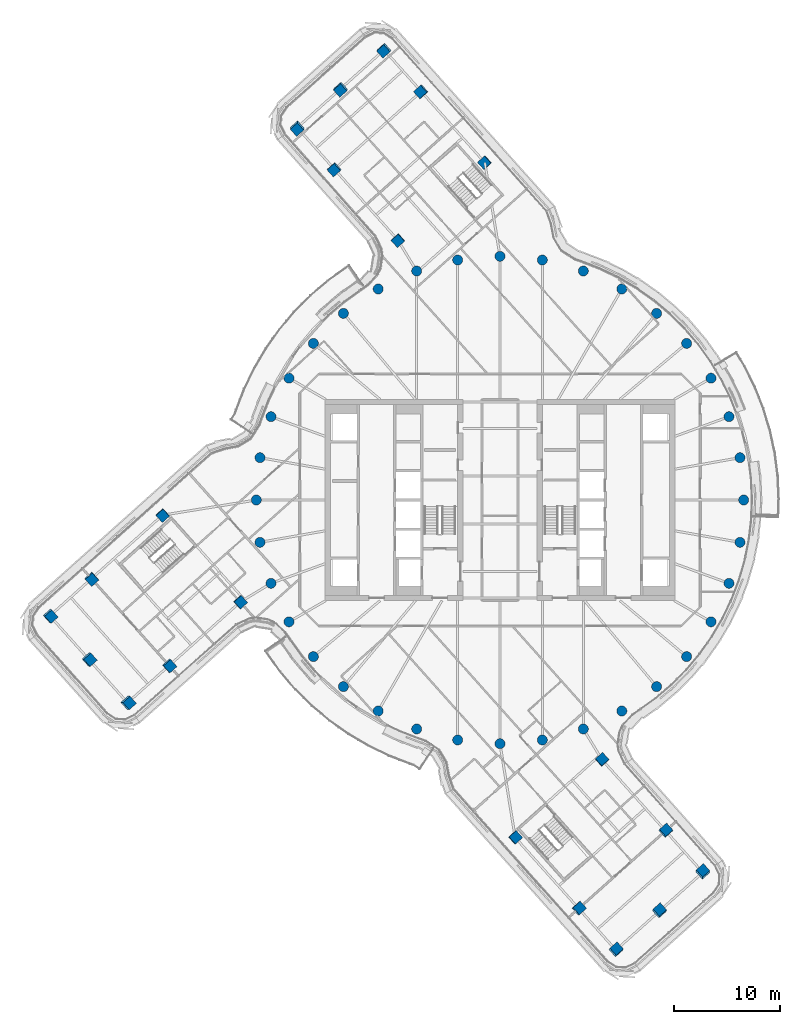
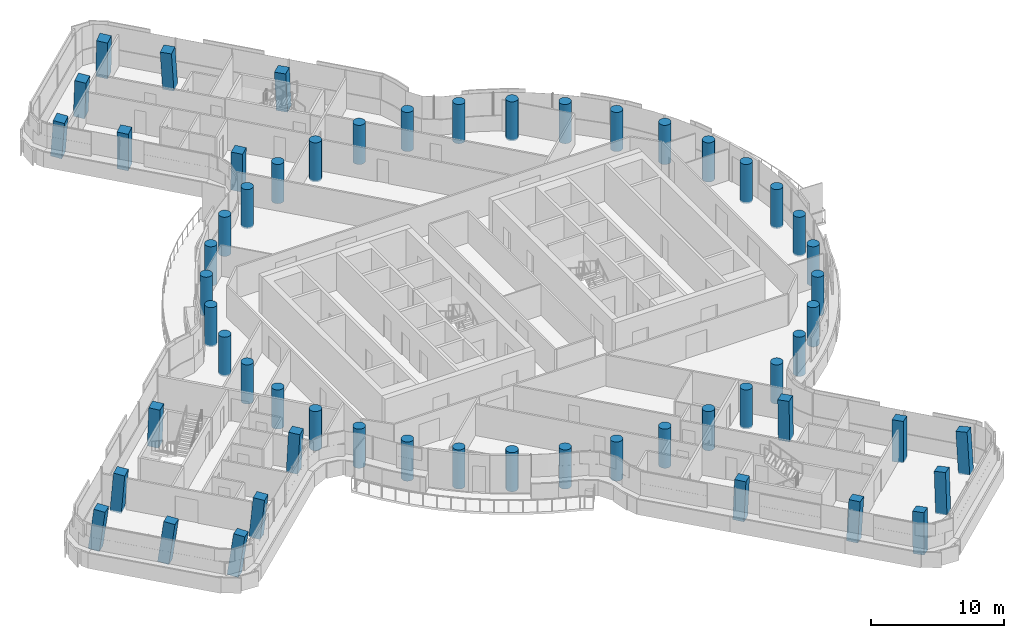
# One storey, part 1 of 33: 57 columns.
"""IFC4 building model written with IfcOpenShell, lengths in metres."""

import ifcopenshell
import ifcopenshell.guid

model = None  # the IFC model being written
_history = None  # IfcOwnerHistory: only IFC2X3 demands one
_inside = {}  # id of a spatial element -> (the spatial element, [elements in it])
_under = {}  # id of a project, library or spatial element -> (it, [spatial elements below it])
_declared = {}  # id of a project -> (the project, [libraries it declares])
_typed = {}  # id of a type object -> (the type object, [elements of that type])
_made_of = {}  # id of a material, layer set ... -> (it, [elements and type objects made of it])


def new_model(schema):
    """Start an empty IFC model of exactly this schema.

    Asked for "IFC4X3", IfcOpenShell would pick the latest addendum, in which some entities
    have other attributes; the version numbers below select the first issue.
    IFC2X3 requires an IfcOwnerHistory on every rooted entity: one is made here for all.
    """
    global model, _history
    if schema == "IFC4X3":
        model = ifcopenshell.file(schema_version=(4, 3, 0, 0))
    else:
        model = ifcopenshell.file(schema=schema)
    _inside.clear()
    _under.clear()
    _declared.clear()
    _typed.clear()
    _made_of.clear()
    _history = None
    if model.schema == "IFC2X3":
        org = make("IfcOrganization", Name="unknown")
        user = make(
            "IfcPersonAndOrganization",
            ThePerson=make("IfcPerson", FamilyName="unknown"),
            TheOrganization=org,
        )
        app = make(
            "IfcApplication",
            ApplicationDeveloper=org,
            Version="unknown",
            ApplicationFullName="unknown",
            ApplicationIdentifier="unknown",
        )
        _history = make(
            "IfcOwnerHistory",
            OwningUser=user,
            OwningApplication=app,
            ChangeAction="ADDED",
            CreationDate=0,
        )
    return model


def make(cls, **values):
    """One entity of the class cls with the attributes given. An attribute that is None is left unset."""
    return model.create_entity(
        cls, **{name: value for name, value in values.items() if value is not None}
    )


def rooted(cls, **values):
    """An entity with a GlobalId (a new one), such as an element, a storey or a relation."""
    return make(cls, GlobalId=ifcopenshell.guid.new(), OwnerHistory=_history, **values)


def si_unit(unit_type, name, prefix=None):
    """IfcSIUnit, for example si_unit("LENGTHUNIT", "METRE", prefix="MILLI")."""
    return make("IfcSIUnit", UnitType=unit_type, Prefix=prefix, Name=name)


def assignment(units):
    """IfcUnitAssignment: the units of a project."""
    return None if units is None else make("IfcUnitAssignment", Units=units)


def point(xyz):
    """IfcCartesianPoint."""
    return None if xyz is None else make("IfcCartesianPoint", Coordinates=xyz)


def direction(xyz):
    """IfcDirection."""
    return None if xyz is None else make("IfcDirection", DirectionRatios=xyz)


def frame(location, z_axis=None, x_axis=None):
    """IfcAxis2Placement3D, a coordinate frame: its origin and axes. An axis left out is left unset."""
    return make(
        "IfcAxis2Placement3D",
        Location=point(location),
        Axis=direction(z_axis),
        RefDirection=direction(x_axis),
    )


def frame_2d(location, x_axis=None):
    """IfcAxis2Placement2D, a coordinate frame in the plane: its origin and x axis."""
    return make(
        "IfcAxis2Placement2D", Location=point(location), RefDirection=direction(x_axis)
    )


def origin():
    """The frame at (0, 0, 0) with its axes left unset."""
    return frame((0.0, 0.0, 0.0))


def origin_2d():
    """The frame at (0, 0) in the plane with its x axis left unset."""
    return frame_2d((0.0, 0.0))


def place(relative_to, where):
    """IfcLocalPlacement: puts the frame where relative to a parent placement (None: the world)."""
    return make(
        "IfcLocalPlacement", PlacementRelTo=relative_to, RelativePlacement=where
    )


def context(
    kind, dimensions, precision=None, world=None, true_north=None, identifier=None
):
    """IfcGeometricRepresentationContext, for example the 3D "Model" context."""
    return make(
        "IfcGeometricRepresentationContext",
        ContextIdentifier=identifier,
        ContextType=kind,
        CoordinateSpaceDimension=dimensions,
        Precision=precision,
        WorldCoordinateSystem=world,
        TrueNorth=true_north,
    )


def subcontext(parent, identifier, kind, view, scale=None):
    """IfcGeometricRepresentationSubContext, for example "Body" below "Model"."""
    return make(
        "IfcGeometricRepresentationSubContext",
        ContextIdentifier=identifier,
        ContextType=kind,
        ParentContext=parent,
        TargetScale=scale,
        TargetView=view,
    )


def project(units=None, contexts=None):
    """IfcProject with its units and contexts."""
    return rooted(
        "IfcProject",
        Name="project",
        RepresentationContexts=contexts,
        UnitsInContext=assignment(units),
    )


def spatial(cls, under=None, at=None, **own):
    """A site, building, storey or space (cls), placed at a placement, below another one or the project."""
    s = rooted(cls, ObjectPlacement=at, **own)
    if under is not None:
        _under.setdefault(under.id(), (under, []))[1].append(s)
    return s


def profile(cls, at=None, kind="AREA", **sizes):
    """A parametric profile (cls). Its sizes go by their IFC names, for example OverallWidth=200.0."""
    return make(cls, ProfileType=kind, Position=at, **sizes)


def rectangle(**sizes):
    """IfcRectangleProfileDef."""
    return profile("IfcRectangleProfileDef", **sizes)


def circle(**sizes):
    """IfcCircleProfileDef."""
    return profile("IfcCircleProfileDef", **sizes)


def extrude(swept, where, along, depth):
    """IfcExtrudedAreaSolid: the profile swept, set in the frame where, extruded along a direction by depth."""
    return make(
        "IfcExtrudedAreaSolid",
        SweptArea=swept,
        Position=where,
        ExtrudedDirection=direction(along),
        Depth=depth,
    )


def shape(context_of_items, identifier, shape_type, items):
    """IfcShapeRepresentation: the items that make up one representation, for example the "Body"."""
    return make(
        "IfcShapeRepresentation",
        ContextOfItems=context_of_items,
        RepresentationIdentifier=identifier,
        RepresentationType=shape_type,
        Items=items,
    )


def material(Name=None, Category=None):
    """IfcMaterial."""
    return make("IfcMaterial", Name=Name, Category=Category)


def material_profile(
    of_material, cross_section, Name=None, Category=None, Priority=None
):
    """IfcMaterialProfile: a cross section and its material."""
    return make(
        "IfcMaterialProfile",
        Name=Name,
        Material=of_material,
        Profile=cross_section,
        Priority=Priority,
        Category=Category,
    )


def profile_set(profiles, Name=None, composite=None):
    """IfcMaterialProfileSet."""
    return make(
        "IfcMaterialProfileSet",
        Name=Name,
        MaterialProfiles=profiles,
        CompositeProfile=composite,
    )


def made_of(thing, what):
    """Note that an element or type object is made of a material, layer set ...; save() writes the relation."""
    if what is not None:
        _made_of.setdefault(what.id(), (what, []))[1].append(thing)
    return thing


def type_object(cls, material=None, **own):
    """A type object (cls), such as IfcWallType, which elements share."""
    return made_of(rooted(cls, **own), material)


def element(
    cls,
    number,
    at=None,
    inside=None,
    cuts=None,
    type_object=None,
    material=None,
    context=None,
    identifier="Body",
    shape_type=None,
    held_by="IfcProductDefinitionShape",
    body=None,
    shapes=None,
    **own,
):
    """One element of the class cls, such as IfcWall. Its Tag is "e" and its number.

    at: its placement. inside: the storey or other place that contains it. cuts: it is an
    opening in that element (IfcRelVoidsElement). A single representation is given by context,
    identifier, shape_type and body (its items); several are given by shapes. held_by: the class
    of the entity that holds the representations. save() writes the other relations.
    """
    e = rooted(cls, Tag="e%d" % number, ObjectPlacement=at, **own)
    if body is not None:
        shapes = [shape(context, identifier, shape_type, body)]
    if shapes is not None:
        e.Representation = make(held_by, Representations=shapes)
    if inside is not None:
        _inside.setdefault(inside.id(), (inside, []))[1].append(e)
    if cuts is not None:
        rooted(
            "IfcRelVoidsElement", RelatingBuildingElement=cuts, RelatedOpeningElement=e
        )
    if type_object is not None:
        _typed.setdefault(type_object.id(), (type_object, []))[1].append(e)
    return made_of(e, material)


def aggregate(whole, parts):
    """IfcRelAggregates: a whole, such as a stair, and the parts it consists of."""
    return rooted("IfcRelAggregates", RelatingObject=whole, RelatedObjects=parts)


def save(model, path):
    """Write the relations noted so far, then the file.

    IfcRelAggregates (storeys below a building ...), IfcRelContainedInSpatialStructure (elements
    in a storey), IfcRelDefinesByType, IfcRelAssociatesMaterial and IfcRelDeclares: one each for
    every whole, place, type object, material and project.
    """
    for whole, parts in _under.values():
        aggregate(whole, parts)
    for where, things in _inside.values():
        rooted(
            "IfcRelContainedInSpatialStructure",
            RelatedElements=things,
            RelatingStructure=where,
        )
    for kind, things in _typed.values():
        rooted("IfcRelDefinesByType", RelatedObjects=things, RelatingType=kind)
    for what, things in _made_of.values():
        rooted("IfcRelAssociatesMaterial", RelatedObjects=things, RelatingMaterial=what)
    for by, libraries in _declared.values():
        rooted("IfcRelDeclares", RelatingContext=by, RelatedDefinitions=libraries)
    model.write(path)


model = new_model("IFC4")

# Units and contexts
model_context = context("Model", 3, precision=1e-05, world=origin(), true_north=direction((0.0, 1.0)))
body_context = subcontext(model_context, "Body", "Model", "MODEL_VIEW")
ifc_project = project(units=[si_unit("LENGTHUNIT", "METRE"), si_unit("AREAUNIT", "SQUARE_METRE"), si_unit("VOLUMEUNIT", "CUBIC_METRE"), si_unit("PLANEANGLEUNIT", "RADIAN"), si_unit("MASSUNIT", "GRAM", prefix="KILO")], contexts=[model_context])

# Site, building, storey
site_placement = place(None, origin())
site = spatial("IfcSite", under=ifc_project, at=site_placement, CompositionType="ELEMENT")
building_placement = place(site_placement, origin())
building = spatial("IfcBuilding", under=site, at=building_placement, Name="Tamarind Cross Interchange Tower", CompositionType="ELEMENT")
storey_placement = place(building_placement, frame((0.0, 0.0, 186.10009765625)))
storey = spatial("IfcBuildingStorey", under=building, at=storey_placement, Name="L46", CompositionType="ELEMENT", Elevation=186.10009765625)

# Columns
ifc_material = material(Name="Concrete C55", Category="concrete")
ifc_material_profile_1 = material_profile(ifc_material, rectangle(XDim=0.89990234375, YDim=0.89990234375, at=origin_2d()), Name="RC 900x900")
ifc_profile_set_1 = profile_set([ifc_material_profile_1], Name="Concrete C55")
column_type_1 = type_object("IfcColumnType", Name="Column RC 900x900 Concrete C55", PredefinedType="COLUMN", material=ifc_profile_set_1)
for number, where, z_axis, x_axis, name in (
    (1, (-15.6298828125, 31.23291015625, -0.138671875), (-0.045822698033, -0.079277322704, 0.995798868472), (0.743326927367, 0.663245686617, 0.087007116001), "Column L46-043"),
    (2, (-7.4287109375, 38.563720703125, -0.138671875), (-0.083197238763, -0.038253157709, 0.995798631947), (0.66549365684, -0.745916928545, 0.026946770057), "Column L46-044"),
):
    element("IfcColumn", number, at=place(storey_placement, frame(where, z_axis=z_axis, x_axis=x_axis)), inside=storey, type_object=column_type_1, Name=name, PredefinedType="COLUMN", context=body_context, shape_type="SweptSolid", body=[
        extrude(rectangle(XDim=0.89990234375, YDim=0.89990234375, at=origin_2d()), origin(), (0.0, 0.0, 1.0), 3.6123046875),
    ])
for number, where, z_axis, x_axis, name in (
    (3, (-9.632080078125, 24.522705078125, -0.138916015625), (-0.012268116842, -0.048801348764, 0.99873315839), (0.744800990849, 0.66598299183, 0.041690989716), "Column L46-045"),
    (4, (-1.430908203125, 31.853515625, -0.138916015625), (-0.049750222282, -0.007659094166, 0.998732323328), (0.665330607359, -0.746045084054, 0.027421077116), "Column L46-046"),
):
    element("IfcColumn", number, at=place(storey_placement, frame(where, z_axis=z_axis, x_axis=x_axis)), inside=storey, type_object=column_type_1, Name=name, PredefinedType="COLUMN", context=body_context, shape_type="SweptSolid", body=[
        extrude(rectangle(XDim=0.89990234375, YDim=0.89990234375, at=origin_2d()), origin(), (0.0, 0.0, 1.0), 3.60205078125),
    ])
column_1_placement = place(storey_placement, frame((-10.937744140625, 42.4892578125, -0.13818359375), z_axis=(-0.056189165696, -0.105902749271, 0.992787683926), x_axis=(0.742102002449, 0.660780670696, 0.112487880217)))
element("IfcColumn", 5, at=column_1_placement, inside=storey, type_object=column_type_1, Name="Column L46-047", PredefinedType="COLUMN", context=body_context, shape_type="SweptSolid", body=[
    extrude(rectangle(XDim=0.89990234375, YDim=0.89990234375, at=origin_2d()), origin(), (0.0, 0.0, 1.0), 3.619384765625),
])
column_2_placement = place(storey_placement, frame((-15.038330078125, 38.82373046875, -0.13818359375), z_axis=(-0.037518437884, -0.126094283159, 0.991308528448), x_axis=(0.74332908865, 0.659479837643, 0.112018791768)))
element("IfcColumn", 6, at=column_2_placement, inside=storey, type_object=column_type_1, Name="Column L46-048", PredefinedType="COLUMN", context=body_context, shape_type="SweptSolid", body=[
    extrude(rectangle(XDim=0.89990234375, YDim=0.89990234375, at=origin_2d()), origin(), (0.0, 0.0, 1.0), 3.62451171875),
])
column_3_placement = place(storey_placement, frame((-19.138916015625, 35.158447265625, -0.137939453125), z_axis=(-0.018886106398, -0.146249706486, 0.989067408389), x_axis=(0.744331069853, 0.658424646679, 0.111571694876)))
element("IfcColumn", 7, at=column_3_placement, inside=storey, type_object=column_type_1, Name="Column L46-049", PredefinedType="COLUMN", context=body_context, shape_type="SweptSolid", body=[
    extrude(rectangle(XDim=0.89990234375, YDim=0.89990234375, at=origin_2d()), origin(), (0.0, 0.0, 1.0), 3.632568359375),
])
for number, where, z_axis, x_axis, name in (
    (8, (-31.23291015625, -15.6298828125, -0.138671875), (0.079277322704, -0.045822698033, 0.995798868472), (-0.663245686617, 0.743326927367, 0.087007116001), "Column L46-050"),
    (9, (-38.563720703125, -7.4287109375, -0.138671875), (0.038253157709, -0.083197238763, 0.995798631947), (0.745916928545, 0.66549365684, 0.026946770057), "Column L46-051"),
):
    element("IfcColumn", number, at=place(storey_placement, frame(where, z_axis=z_axis, x_axis=x_axis)), inside=storey, type_object=column_type_1, Name=name, PredefinedType="COLUMN", context=body_context, shape_type="SweptSolid", body=[
        extrude(rectangle(XDim=0.89990234375, YDim=0.89990234375, at=origin_2d()), origin(), (0.0, 0.0, 1.0), 3.6123046875),
    ])
for number, where, z_axis, x_axis, name in (
    (10, (-24.522705078125, -9.632080078125, -0.138916015625), (0.048801348764, -0.012268116842, 0.99873315839), (-0.66598299183, 0.744800990849, 0.041690989716), "Column L46-052"),
    (11, (-31.853515625, -1.430908203125, -0.138916015625), (0.007659094166, -0.049750222282, 0.998732323328), (0.746045084054, 0.665330607359, 0.027421077116), "Column L46-053"),
):
    element("IfcColumn", number, at=place(storey_placement, frame(where, z_axis=z_axis, x_axis=x_axis)), inside=storey, type_object=column_type_1, Name=name, PredefinedType="COLUMN", context=body_context, shape_type="SweptSolid", body=[
        extrude(rectangle(XDim=0.89990234375, YDim=0.89990234375, at=origin_2d()), origin(), (0.0, 0.0, 1.0), 3.60205078125),
    ])
column_4_placement = place(storey_placement, frame((-42.4892578125, -10.937744140625, -0.13818359375), z_axis=(0.105902749271, -0.056189165696, 0.992787683926), x_axis=(-0.660780670696, 0.742102002449, 0.112487880217)))
element("IfcColumn", 12, at=column_4_placement, inside=storey, type_object=column_type_1, Name="Column L46-054", PredefinedType="COLUMN", context=body_context, shape_type="SweptSolid", body=[
    extrude(rectangle(XDim=0.89990234375, YDim=0.89990234375, at=origin_2d()), origin(), (0.0, 0.0, 1.0), 3.619384765625),
])
column_5_placement = place(storey_placement, frame((-38.82373046875, -15.038330078125, -0.13818359375), z_axis=(0.126094283159, -0.037518437884, 0.991308528448), x_axis=(-0.659479837643, 0.74332908865, 0.112018791768)))
element("IfcColumn", 13, at=column_5_placement, inside=storey, type_object=column_type_1, Name="Column L46-055", PredefinedType="COLUMN", context=body_context, shape_type="SweptSolid", body=[
    extrude(rectangle(XDim=0.89990234375, YDim=0.89990234375, at=origin_2d()), origin(), (0.0, 0.0, 1.0), 3.62451171875),
])
column_6_placement = place(storey_placement, frame((-35.158447265625, -19.138916015625, -0.137939453125), z_axis=(0.146249706486, -0.018886106398, 0.989067408389), x_axis=(-0.658424646679, 0.744331069853, 0.111571694876)))
element("IfcColumn", 14, at=column_6_placement, inside=storey, type_object=column_type_1, Name="Column L46-056", PredefinedType="COLUMN", context=body_context, shape_type="SweptSolid", body=[
    extrude(rectangle(XDim=0.89990234375, YDim=0.89990234375, at=origin_2d()), origin(), (0.0, 0.0, 1.0), 3.632568359375),
])
for number, where, z_axis, x_axis, name in (
    (15, (15.6298828125, -31.23291015625, -0.138671875), (0.045822698033, 0.079277322704, 0.995798868472), (-0.743326927367, -0.663245686617, 0.087007116001), "Column L46-057"),
    (16, (7.4287109375, -38.563720703125, -0.138671875), (0.083197238763, 0.038253157709, 0.995798631947), (-0.66549365684, 0.745916928545, 0.026946770057), "Column L46-058"),
):
    element("IfcColumn", number, at=place(storey_placement, frame(where, z_axis=z_axis, x_axis=x_axis)), inside=storey, type_object=column_type_1, Name=name, PredefinedType="COLUMN", context=body_context, shape_type="SweptSolid", body=[
        extrude(rectangle(XDim=0.89990234375, YDim=0.89990234375, at=origin_2d()), origin(), (0.0, 0.0, 1.0), 3.6123046875),
    ])
for number, where, z_axis, x_axis, name in (
    (17, (9.632080078125, -24.522705078125, -0.138916015625), (0.012268116842, 0.048801348764, 0.99873315839), (-0.744800990849, -0.66598299183, 0.041690989716), "Column L46-059"),
    (18, (1.430908203125, -31.853515625, -0.138916015625), (0.049750222282, 0.007659094166, 0.998732323328), (-0.665330607359, 0.746045084054, 0.027421077116), "Column L46-060"),
):
    element("IfcColumn", number, at=place(storey_placement, frame(where, z_axis=z_axis, x_axis=x_axis)), inside=storey, type_object=column_type_1, Name=name, PredefinedType="COLUMN", context=body_context, shape_type="SweptSolid", body=[
        extrude(rectangle(XDim=0.89990234375, YDim=0.89990234375, at=origin_2d()), origin(), (0.0, 0.0, 1.0), 3.60205078125),
    ])
column_7_placement = place(storey_placement, frame((10.937744140625, -42.4892578125, -0.13818359375), z_axis=(0.056189165696, 0.105902749271, 0.992787683926), x_axis=(-0.742102002449, -0.660780670696, 0.112487880217)))
element("IfcColumn", 19, at=column_7_placement, inside=storey, type_object=column_type_1, Name="Column L46-061", PredefinedType="COLUMN", context=body_context, shape_type="SweptSolid", body=[
    extrude(rectangle(XDim=0.89990234375, YDim=0.89990234375, at=origin_2d()), origin(), (0.0, 0.0, 1.0), 3.619384765625),
])
column_8_placement = place(storey_placement, frame((15.038330078125, -38.82373046875, -0.13818359375), z_axis=(0.037518437884, 0.126094283159, 0.991308528448), x_axis=(-0.74332908865, -0.659479837643, 0.112018791768)))
element("IfcColumn", 20, at=column_8_placement, inside=storey, type_object=column_type_1, Name="Column L46-062", PredefinedType="COLUMN", context=body_context, shape_type="SweptSolid", body=[
    extrude(rectangle(XDim=0.89990234375, YDim=0.89990234375, at=origin_2d()), origin(), (0.0, 0.0, 1.0), 3.62451171875),
])
column_9_placement = place(storey_placement, frame((19.138916015625, -35.158447265625, -0.137939453125), z_axis=(0.018886106398, 0.146249706486, 0.989067408389), x_axis=(-0.744331069853, -0.658424646679, 0.111571694876)))
element("IfcColumn", 21, at=column_9_placement, inside=storey, type_object=column_type_1, Name="Column L46-063", PredefinedType="COLUMN", context=body_context, shape_type="SweptSolid", body=[
    extrude(rectangle(XDim=0.89990234375, YDim=0.89990234375, at=origin_2d()), origin(), (0.0, 0.0, 1.0), 3.632568359375),
])
ifc_material_profile_2 = material_profile(ifc_material, circle(Radius=0.47509765625, at=origin_2d()), Name="RC D950")
ifc_profile_set_2 = profile_set([ifc_material_profile_2], Name="Concrete C55")
column_type_2 = type_object("IfcColumnType", Name="Column RC D950 Concrete C55", PredefinedType="COLUMN", material=ifc_profile_set_2)
for number, where, z_axis, x_axis, name in (
    (22, (23.0, 0.0, -0.14013671875), (0.0, 0.0, 1.0), (1.0, 0.0, 0.0), "Column L46-000"),
    (23, (22.650634765625, 3.993896484375, -0.14013671875), (0.0, 0.0, 1.0), (1.0, 0.0, 0.0), "Column L46-001"),
    (24, (21.613037109375, 7.866455078125, -0.14013671875), (0.0, 0.0, 1.0), (1.0, 0.0, 0.0), "Column L46-002"),
    (25, (19.918701171875, 11.5, -0.14013671875), (0.0, 0.0, 1.0), (1.0, 0.0, 0.0), "Column L46-003"),
    (26, (17.619140625, 14.7841796875, -0.14013671875), (0.0, 0.0, 1.0), (1.0, 0.0, 0.0), "Column L46-004"),
    (27, (14.7841796875, 17.619140625, -0.14013671875), (0.0, 0.0, 1.0), (1.0, 0.0, 0.0), "Column L46-005"),
    (28, (11.5, 19.918701171875, -0.14013671875), (0.0, 0.0, 1.0), (1.0, 0.0, 0.0), "Column L46-006"),
    (29, (7.866455078125, 21.613037109375, -0.14013671875), (0.0, 0.0, 1.0), (1.0, 0.0, 0.0), "Column L46-007"),
    (30, (3.993896484375, 22.650634765625, -0.14013671875), (0.0, 0.0, 1.0), (1.0, 0.0, 0.0), "Column L46-008"),
    (31, (0.0, 23.0, -0.14013671875), (0.0, 0.0, 1.0), (1.0, 0.0, 0.0), "Column L46-009"),
    (32, (-3.993896484375, 22.650634765625, -0.14013671875), (0.0, 0.0, 1.0), (1.0, 0.0, 0.0), "Column L46-010"),
    (33, (-7.866455078125, 21.613037109375, -0.14013671875), (0.0, 0.0, 1.0), (1.0, 0.0, 0.0), "Column L46-011"),
    (34, (-11.5, 19.918701171875, -0.14013671875), (0.0, 0.0, 1.0), (1.0, 0.0, 0.0), "Column L46-012"),
    (35, (-14.7841796875, 17.619140625, -0.14013671875), (0.0, 0.0, 1.0), (1.0, 0.0, 0.0), "Column L46-013"),
    (36, (-17.619140625, 14.7841796875, -0.14013671875), (0.0, 0.0, 1.0), (1.0, 0.0, 0.0), "Column L46-014"),
    (37, (-19.918701171875, 11.5, -0.14013671875), (0.0, 0.0, 1.0), (1.0, 0.0, 0.0), "Column L46-015"),
    (38, (-21.613037109375, 7.866455078125, -0.14013671875), (0.0, 0.0, 1.0), (1.0, 0.0, 0.0), "Column L46-016"),
    (39, (-22.650634765625, 3.993896484375, -0.14013671875), (0.0, 0.0, 1.0), (1.0, 0.0, 0.0), "Column L46-017"),
    (40, (-23.0, 0.0, -0.14013671875), (0.0, 0.0, 1.0), (1.0, 0.0, 0.0), "Column L46-018"),
    (41, (-22.650634765625, -3.993896484375, -0.14013671875), (0.0, 0.0, 1.0), (1.0, 0.0, 0.0), "Column L46-019"),
    (42, (-21.613037109375, -7.866455078125, -0.14013671875), (0.0, 0.0, 1.0), (1.0, 0.0, 0.0), "Column L46-020"),
    (43, (-19.918701171875, -11.5, -0.14013671875), (0.0, 0.0, 1.0), (1.0, 0.0, 0.0), "Column L46-021"),
    (44, (-17.619140625, -14.7841796875, -0.14013671875), (0.0, 0.0, 1.0), (1.0, 0.0, 0.0), "Column L46-022"),
    (45, (-14.7841796875, -17.619140625, -0.14013671875), (0.0, 0.0, 1.0), (1.0, 0.0, 0.0), "Column L46-023"),
    (46, (-11.5, -19.918701171875, -0.14013671875), (0.0, 0.0, 1.0), (1.0, 0.0, 0.0), "Column L46-024"),
    (47, (-7.866455078125, -21.613037109375, -0.14013671875), (0.0, 0.0, 1.0), (1.0, 0.0, 0.0), "Column L46-025"),
    (48, (-3.993896484375, -22.650634765625, -0.14013671875), (0.0, 0.0, 1.0), (1.0, 0.0, 0.0), "Column L46-026"),
    (49, (0.0, -23.0, -0.14013671875), (0.0, 0.0, 1.0), (1.0, 0.0, 0.0), "Column L46-027"),
    (50, (3.993896484375, -22.650634765625, -0.14013671875), (0.0, 0.0, 1.0), (1.0, 0.0, 0.0), "Column L46-028"),
    (51, (7.866455078125, -21.613037109375, -0.14013671875), (0.0, 0.0, 1.0), (1.0, 0.0, 0.0), "Column L46-029"),
    (52, (11.5, -19.918701171875, -0.14013671875), (0.0, 0.0, 1.0), (1.0, 0.0, 0.0), "Column L46-030"),
    (53, (14.7841796875, -17.619140625, -0.14013671875), (0.0, 0.0, 1.0), (1.0, 0.0, 0.0), "Column L46-031"),
    (54, (17.619140625, -14.7841796875, -0.14013671875), (0.0, 0.0, 1.0), (1.0, 0.0, 0.0), "Column L46-032"),
    (55, (19.918701171875, -11.5, -0.14013671875), (0.0, 0.0, 1.0), (1.0, 0.0, 0.0), "Column L46-033"),
    (56, (21.613037109375, -7.866455078125, -0.14013671875), (0.0, 0.0, 1.0), (1.0, 0.0, 0.0), "Column L46-034"),
    (57, (22.650634765625, -3.993896484375, -0.14013671875), (0.0, 0.0, 1.0), (1.0, 0.0, 0.0), "Column L46-035"),
):
    element("IfcColumn", number, at=place(storey_placement, frame(where, z_axis=z_axis, x_axis=x_axis)), inside=storey, type_object=column_type_2, Name=name, PredefinedType="COLUMN", context=body_context, shape_type="SweptSolid", body=[
        extrude(circle(Radius=0.47509765625, at=origin_2d()), origin(), (0.0, 0.0, 1.0), 3.60009765625),
    ])

save(model, "model.ifc")
